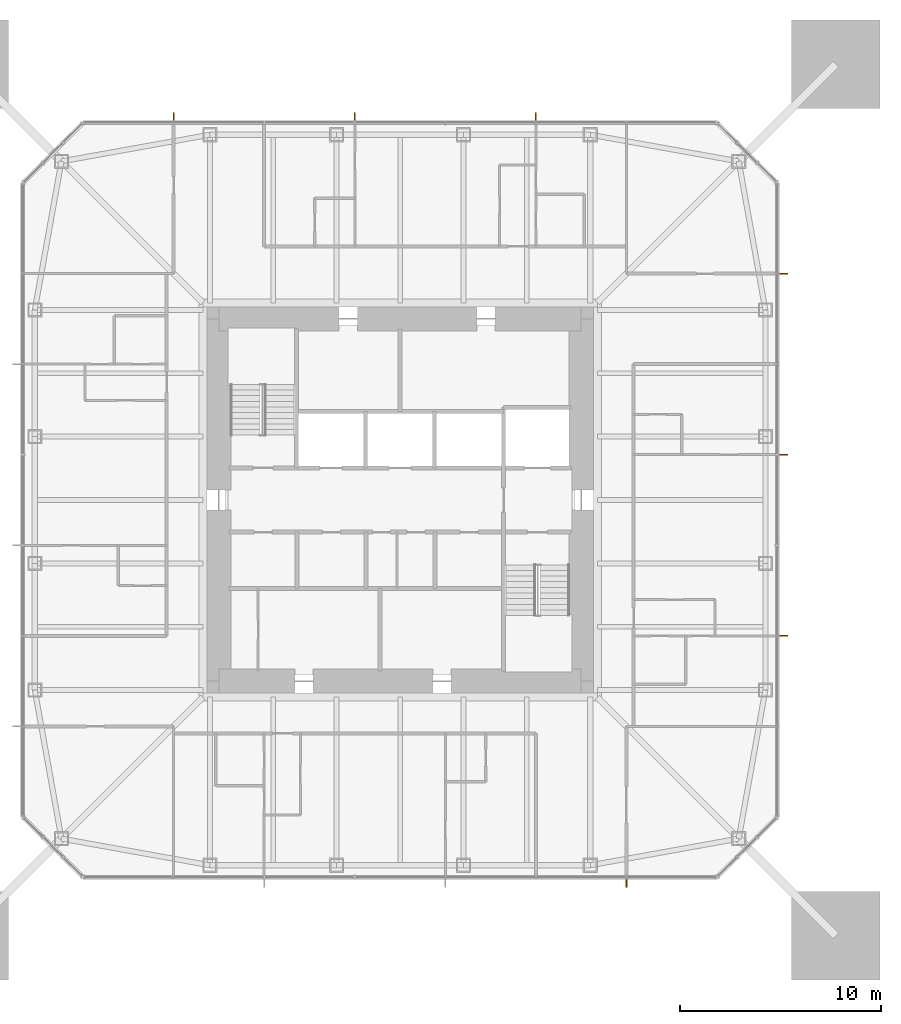
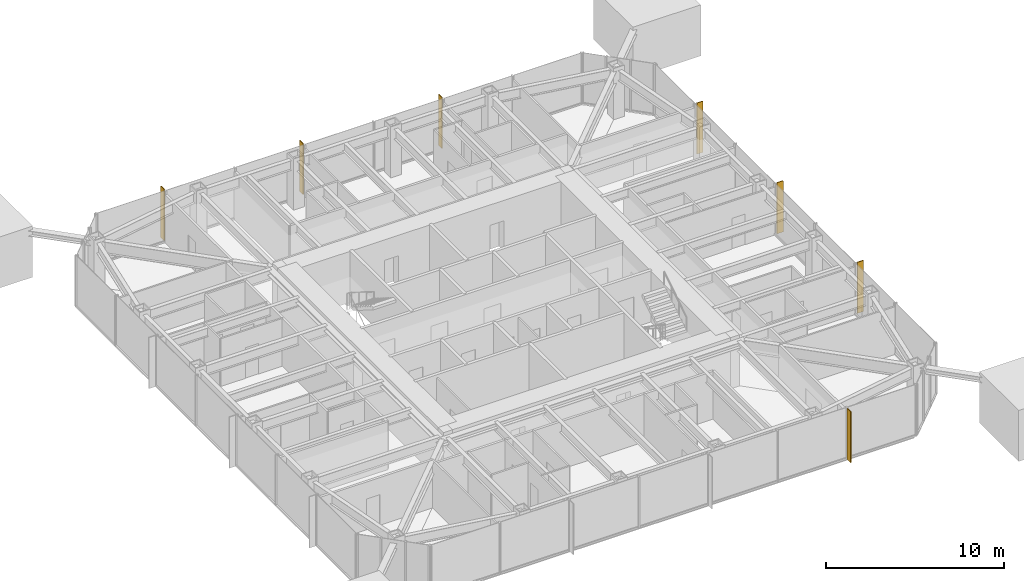
# One storey, part 11 of 11: 7 shading devices.
"""IFC4 building model written with IfcOpenShell, lengths in metres."""

from ifc_helpers import new_model, si_unit, direction, frame, origin, origin_2d, place, context, subcontext, project, spatial, rectangle, extrude, material, layer, layer_set, type_object, element, save


model = new_model("IFC4")

# Units and contexts
model_context = context("Model", 3, precision=1e-05, world=origin(), true_north=direction((0.0, 1.0)))
body_context = subcontext(model_context, "Body", "Model", "MODEL_VIEW")
ifc_project = project(units=[si_unit("LENGTHUNIT", "METRE"), si_unit("AREAUNIT", "SQUARE_METRE"), si_unit("VOLUMEUNIT", "CUBIC_METRE"), si_unit("PLANEANGLEUNIT", "RADIAN"), si_unit("MASSUNIT", "GRAM", prefix="KILO")], contexts=[model_context])

# Site, building, storey
site_placement = place(None, origin())
site = spatial("IfcSite", under=ifc_project, at=site_placement, CompositionType="ELEMENT")
building_placement = place(site_placement, origin())
building = spatial("IfcBuilding", under=site, at=building_placement, Name="Iwan Alto Co-Living Towers", CompositionType="ELEMENT")
storey_placement = place(building_placement, frame((0.0, 0.0, 174.0)))
storey = spatial("IfcBuildingStorey", under=building, at=storey_placement, Name="L47", CompositionType="ELEMENT", Elevation=174.0)

# Shading devices
ifc_material = material(Name="Aluminium 6063-T6 bronze anodised", Category="aluminium")
ifc_layer = layer(ifc_material, 0.050048828125)
ifc_layer_set = layer_set([ifc_layer], Name="BRONZE FIN 50X400")
shading_device_type = type_object("IfcShadingDeviceType", Name="BRONZE FIN 50X400", PredefinedType="USERDEFINED", material=ifc_layer_set)
for number, where, z_axis, x_axis, name in (
    (1, (11.25, -19.050048828125, 0.0), (0.0, 0.0, 1.0), (1.0, 0.0, 0.0), "Bronze fin L47"),
    (2, (19.050048828125, -6.75, 0.0), (0.0, 0.0, 1.0), (0.0, 1.0, 0.0), "Bronze fin L47"),
    (3, (19.050048828125, 2.25, 0.0), (0.0, 0.0, 1.0), (0.0, 1.0, 0.0), "Bronze fin L47"),
    (4, (19.050048828125, 11.25, 0.0), (0.0, 0.0, 1.0), (0.0, 1.0, 0.0), "Bronze fin L47"),
    (5, (6.75, 19.050048828125, 0.0), (0.0, 0.0, 1.0), (-1.0, 0.0, 0.0), "Bronze fin L47"),
    (6, (-2.25, 19.050048828125, 0.0), (0.0, 0.0, 1.0), (-1.0, 0.0, 0.0), "Bronze fin L47"),
    (7, (-11.25, 19.050048828125, 0.0), (0.0, 0.0, 1.0), (-1.0, 0.0, 0.0), "Bronze fin L47"),
):
    element("IfcShadingDevice", number, at=place(storey_placement, frame(where, z_axis=z_axis, x_axis=x_axis)), inside=storey, type_object=shading_device_type, Name=name, ObjectType="LOUVER", PredefinedType="USERDEFINED", context=body_context, shape_type="SweptSolid", body=[
        extrude(rectangle(XDim=0.050048828125, YDim=0.39990234375, at=origin_2d()), origin(), (0.0, 0.0, 1.0), 3.5),
    ])

save(model, "model.ifc")
